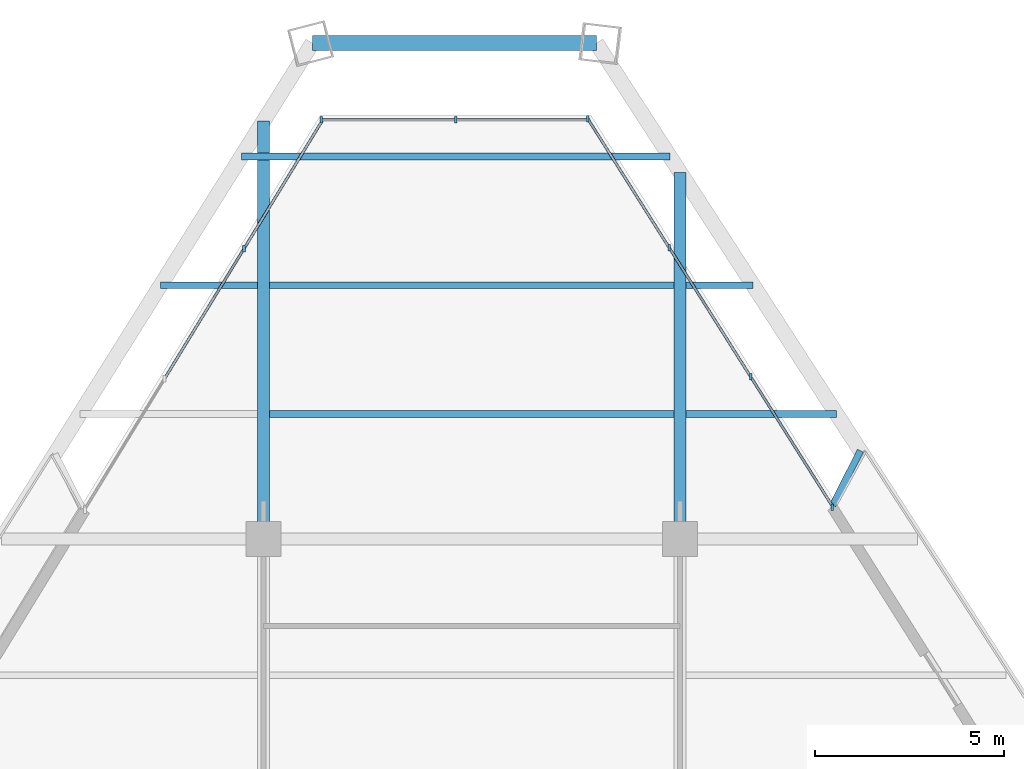
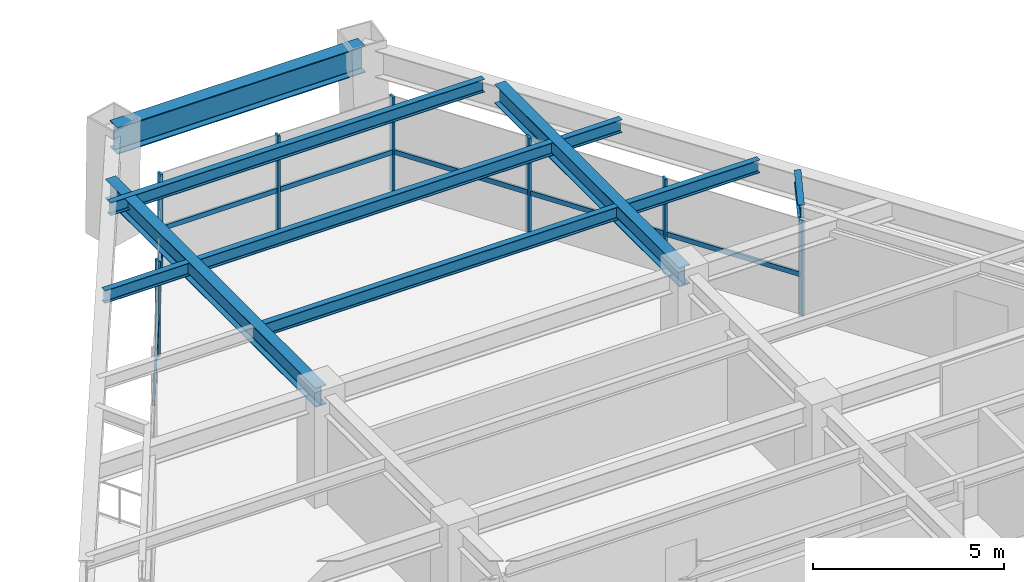
# One storey, part 7 of 13: 14 members, 10 beams, 3 elements without a shape of their own.
"""IFC4 building model written with IfcOpenShell, lengths in metres."""

from ifc_helpers import new_model, si_unit, direction, frame, origin, origin_2d, place, context, subcontext, project, spatial, rectangle, i_section, extrude, source, transform, mapped, material, material_profile, profile_set, type_object, type_shapes, element, aggregate, save


model = new_model("IFC4")

# Units and contexts
model_context = context("Model", 3, precision=1e-05, world=origin(), true_north=direction((0.0, 1.0)))
body_context = subcontext(model_context, "Body", "Model", "MODEL_VIEW")
ifc_project = project(units=[si_unit("LENGTHUNIT", "METRE"), si_unit("AREAUNIT", "SQUARE_METRE"), si_unit("VOLUMEUNIT", "CUBIC_METRE"), si_unit("PLANEANGLEUNIT", "RADIAN"), si_unit("MASSUNIT", "GRAM", prefix="KILO")], contexts=[model_context])

# Site, building, storey
site_placement = place(None, origin())
site = spatial("IfcSite", under=ifc_project, at=site_placement, CompositionType="ELEMENT")
building_placement = place(site_placement, origin())
building = spatial("IfcBuilding", under=site, at=building_placement, Name="Varnakhor Terracotta Tower", CompositionType="ELEMENT")
storey_placement = place(building_placement, frame((0.0, 0.0, 200.60009765625)))
storey = spatial("IfcBuildingStorey", under=building, at=storey_placement, Name="L51", CompositionType="ELEMENT", Elevation=200.60009765625)

# Beams
ifc_material_1 = material(Name="Steel S355", Category="steel")
ifc_material_profile_1 = material_profile(ifc_material_1, i_section(OverallWidth=0.179931640625, OverallDepth=0.4130859375, WebThickness=0.009765625, FlangeThickness=0.01611328125, FilletRadius=0.01806640625, at=origin_2d()), Name="W16X50")
ifc_profile_set_1 = profile_set([ifc_material_profile_1], Name="Steel S355")
beam_type_1 = type_object("IfcBeamType", Name="JST-W16X50", PredefinedType="JOIST", material=ifc_profile_set_1)
shared_shape_1 = source(origin(), body_context, "Body", "SweptSolid", [
    extrude(i_section(OverallWidth=0.179931640625, OverallDepth=0.4130859375, WebThickness=0.009765625, FlangeThickness=0.01611328125, FilletRadius=0.01806640625, at=origin_2d()), origin(), (0.0, 0.0, 1.0), 10.68310546875),
])
for number, where, z_axis, x_axis, name in (
    (1, (-5.341552734375, 34.800048828125, 3.263427734375), (1.0, 0.0, 0.0), (0.0, 1.0, 0.0), "L51 Composite Floor Joist 7-2"),
    (2, (-5.341552734375, 38.199951171875, 3.263427734375), (1.0, 0.0, 0.0), (0.0, 1.0, 0.0), "L51 Composite Floor Joist 8-2"),
):
    element("IfcBeam", number, at=place(storey_placement, frame(where, z_axis=z_axis, x_axis=x_axis)), inside=storey, type_object=beam_type_1, Name=name, PredefinedType="JOIST", context=body_context, shape_type="MappedRepresentation", body=[
        mapped(shared_shape_1, transform((0.0, 0.0, 0.0), scale=1.0)),
    ])
ifc_material_profile_2 = material_profile(ifc_material_1, i_section(OverallWidth=0.39990234375, OverallDepth=0.85498046875, WebThickness=0.01806640625, FlangeThickness=0.029052734375, FilletRadius=0.01806640625, at=origin_2d()), Name="W33X201")
ifc_profile_set_2 = profile_set([ifc_material_profile_2], Name="Steel S355")
beam_type_2 = type_object("IfcBeamType", Name="BM-W33X201", PredefinedType="BEAM", material=ifc_profile_set_2)
shared_shape_2 = source(origin(), body_context, "Body", "SweptSolid", [
    extrude(i_section(OverallWidth=0.39990234375, OverallDepth=0.85498046875, WebThickness=0.01806640625, FlangeThickness=0.029052734375, FilletRadius=0.01806640625, at=origin_2d()), origin(), (0.0, 0.0, 1.0), 7.501220703125),
])
beam_1_placement = place(storey_placement, frame((3.291748046875, 44.593994140625, 3.04248046875), z_axis=(-1.0, 0.0, 0.0), x_axis=(0.0, -1.0, 0.0)))
element("IfcBeam", 3, at=beam_1_placement, inside=storey, type_object=beam_type_2, Name="L51 Perimeter Spandrel 5", PredefinedType="BEAM", context=body_context, shape_type="MappedRepresentation", body=[
    mapped(shared_shape_2, transform((0.0, 0.0, 0.0), scale=1.0)),
])
ifc_material_profile_3 = material_profile(ifc_material_1, i_section(OverallWidth=0.324951171875, OverallDepth=0.615966796875, WebThickness=0.013916015625, FlangeThickness=0.02197265625, FilletRadius=0.01806640625, at=origin_2d()), Name="W24X117")
ifc_profile_set_3 = profile_set([ifc_material_profile_3], Name="Steel S355")
beam_type_3 = type_object("IfcBeamType", Name="BM-W24X117", PredefinedType="BEAM", material=ifc_profile_set_3)
shared_shape_3 = source(origin(), body_context, "Body", "SweptSolid", [
    extrude(i_section(OverallWidth=0.324951171875, OverallDepth=0.615966796875, WebThickness=0.013916015625, FlangeThickness=0.02197265625, FilletRadius=0.01806640625, at=origin_2d()), origin(), (0.0, 0.0, 1.0), 11.03515625),
])
beam_2_placement = place(storey_placement, frame((-5.5, 31.5, 3.161865234375), z_axis=(0.0, 1.0, 0.0), x_axis=(-1.0, 0.0, 0.0)))
element("IfcBeam", 4, at=beam_2_placement, inside=storey, type_object=beam_type_3, Name="L51 Primary Girder NS3-W", PredefinedType="BEAM", context=body_context, shape_type="MappedRepresentation", body=[
    mapped(shared_shape_3, transform((0.0, 0.0, 0.0), scale=1.0)),
])
shared_shape_4 = source(origin(), body_context, "Body", "SweptSolid", [
    extrude(i_section(OverallWidth=0.324951171875, OverallDepth=0.615966796875, WebThickness=0.013916015625, FlangeThickness=0.02197265625, FilletRadius=0.01806640625, at=origin_2d()), origin(), (0.0, 0.0, 1.0), 9.68310546875),
])
beam_3_placement = place(storey_placement, frame((5.5, 31.5, 3.161865234375), z_axis=(0.0, 1.0, 0.0), x_axis=(-1.0, 0.0, 0.0)))
element("IfcBeam", 5, at=beam_3_placement, inside=storey, type_object=beam_type_3, Name="L51 Primary Girder NS3-E", PredefinedType="BEAM", context=body_context, shape_type="MappedRepresentation", body=[
    mapped(shared_shape_4, transform((0.0, 0.0, 0.0), scale=1.0)),
])
shared_shape_5 = source(origin(), body_context, "Body", "SweptSolid", [
    extrude(i_section(OverallWidth=0.179931640625, OverallDepth=0.4130859375, WebThickness=0.009765625, FlangeThickness=0.01611328125, FilletRadius=0.01806640625, at=origin_2d()), origin(), (0.0, 0.0, 1.0), 3.973876953125),
])
beam_4_placement = place(storey_placement, frame((5.658447265625, 34.800048828125, 3.263427734375), z_axis=(1.0, 0.0, 0.0), x_axis=(0.0, 1.0, 0.0)))
element("IfcBeam", 6, at=beam_4_placement, inside=storey, type_object=beam_type_1, Name="L51 Composite Floor Joist 7-3", PredefinedType="JOIST", context=body_context, shape_type="MappedRepresentation", body=[
    mapped(shared_shape_5, transform((0.0, 0.0, 0.0), scale=1.0)),
])
shared_shape_6 = source(origin(), body_context, "Body", "SweptSolid", [
    extrude(i_section(OverallWidth=0.179931640625, OverallDepth=0.4130859375, WebThickness=0.009765625, FlangeThickness=0.01611328125, FilletRadius=0.01806640625, at=origin_2d()), origin(), (0.0, 0.0, 1.0), 2.558837890625),
])
beam_5_placement = place(storey_placement, frame((-8.21728515625, 38.199951171875, 3.263427734375), z_axis=(1.0, 0.0, 0.0), x_axis=(0.0, 1.0, 0.0)))
element("IfcBeam", 7, at=beam_5_placement, inside=storey, type_object=beam_type_1, Name="L51 Composite Floor Joist 8-1", PredefinedType="JOIST", context=body_context, shape_type="MappedRepresentation", body=[
    mapped(shared_shape_6, transform((0.0, 0.0, 0.0), scale=1.0)),
])
shared_shape_7 = source(origin(), body_context, "Body", "SweptSolid", [
    extrude(i_section(OverallWidth=0.179931640625, OverallDepth=0.4130859375, WebThickness=0.009765625, FlangeThickness=0.01611328125, FilletRadius=0.01806640625, at=origin_2d()), origin(), (0.0, 0.0, 1.0), 1.772705078125),
])
beam_6_placement = place(storey_placement, frame((5.658447265625, 38.199951171875, 3.263427734375), z_axis=(1.0, 0.0, 0.0), x_axis=(0.0, 1.0, 0.0)))
element("IfcBeam", 8, at=beam_6_placement, inside=storey, type_object=beam_type_1, Name="L51 Composite Floor Joist 8-3", PredefinedType="JOIST", context=body_context, shape_type="MappedRepresentation", body=[
    mapped(shared_shape_7, transform((0.0, 0.0, 0.0), scale=1.0)),
])
shared_shape_8 = source(origin(), body_context, "Body", "SweptSolid", [
    extrude(i_section(OverallWidth=0.179931640625, OverallDepth=0.4130859375, WebThickness=0.009765625, FlangeThickness=0.01611328125, FilletRadius=0.01806640625, at=origin_2d()), origin(), (0.0, 0.0, 1.0), 11.316162109375),
])
beam_7_placement = place(storey_placement, frame((-6.086181640625, 41.60009765625, 3.263427734375), z_axis=(1.0, 0.0, 0.0), x_axis=(0.0, 1.0, 0.0)))
element("IfcBeam", 9, at=beam_7_placement, inside=storey, type_object=beam_type_1, Name="L51 Composite Floor Joist 9-1", PredefinedType="JOIST", context=body_context, shape_type="MappedRepresentation", body=[
    mapped(shared_shape_8, transform((0.0, 0.0, 0.0), scale=1.0)),
])

# Curtain wall, member
ifc_material_2 = material(Name="Anodised Aluminium Curtain Wall System", Category="aluminium")
curtain_wall_type = type_object("IfcCurtainWallType", Name="CW-SYS-MID-OFFICE", PredefinedType="NOTDEFINED", material=ifc_material_2)
curtain_wall_1_placement = place(storey_placement, origin())
curtain_wall_1 = element("IfcCurtainWall", 10, at=curtain_wall_1_placement, inside=storey, type_object=curtain_wall_type, Name="L51 W Facet Curtain Wall 2", PredefinedType="NOTDEFINED")
ifc_material_3 = material(Name="Anodised Aluminium 6063-T6", Category="aluminium")
ifc_material_profile_4 = material_profile(ifc_material_3, rectangle(XDim=0.070068359375, YDim=0.175048828125, at=origin_2d()), Name="ALU MULLION 70x175")
ifc_profile_set_4 = profile_set([ifc_material_profile_4], Name="Anodised Aluminium 6063-T6")
member_type_1 = type_object("IfcMemberType", Name="CWM-03", PredefinedType="MULLION", material=ifc_profile_set_4)
shared_shape_9 = source(origin(), body_context, "Body", "SweptSolid", [
    extrude(rectangle(XDim=0.070068359375, YDim=0.175048828125, at=origin_2d()), origin(), (0.0, 0.0, 1.0), 3.0498046875),
])
type_shapes(member_type_1, [shared_shape_9])
member_1_placement = place(storey_placement, frame((-6.01513671875, 39.16259765625, 0.0), z_axis=(0.0, 0.0, 1.0), x_axis=(1.0, 0.0, 0.0)))
member_1 = element("IfcMember", 11, at=member_1_placement, type_object=member_type_1, Name="L51 W Facet Curtain Wall 2 Mullion 3", PredefinedType="MULLION", context=body_context, shape_type="MappedRepresentation", body=[
    mapped(shared_shape_9, transform((0.0, 0.0, 0.0), scale=1.0)),
])

# Curtain wall, members
curtain_wall_2_placement = place(storey_placement, origin())
curtain_wall_2 = element("IfcCurtainWall", 12, at=curtain_wall_2_placement, inside=storey, type_object=curtain_wall_type, Name="L51 Facet Curtain Wall 2", PredefinedType="NOTDEFINED")
member_2_placement = place(storey_placement, frame((-3.971923828125, 42.5654296875, 0.0), z_axis=(0.0, 0.0, 1.0), x_axis=(1.0, 0.0, 0.0)))
member_2 = element("IfcMember", 13, at=member_2_placement, type_object=member_type_1, Name="L51 Facet Curtain Wall 2 Mullion 1", PredefinedType="MULLION", context=body_context, shape_type="MappedRepresentation", body=[
    mapped(shared_shape_9, transform((0.0, 0.0, 0.0), scale=1.0)),
])
member_3_placement = place(storey_placement, frame((-0.4267578125, 42.5654296875, 0.0), z_axis=(0.0, 0.0, 1.0), x_axis=(1.0, 0.0, 0.0)))
member_3 = element("IfcMember", 14, at=member_3_placement, type_object=member_type_1, Name="L51 Facet Curtain Wall 2 Mullion 2", PredefinedType="MULLION", context=body_context, shape_type="MappedRepresentation", body=[
    mapped(shared_shape_9, transform((0.0, 0.0, 0.0), scale=1.0)),
])

curtain_wall_3_placement = place(storey_placement, origin())
curtain_wall_3 = element("IfcCurtainWall", 15, at=curtain_wall_3_placement, inside=storey, type_object=curtain_wall_type, Name="L51 E Facet Curtain Wall 1", PredefinedType="NOTDEFINED")
member_4_placement = place(storey_placement, frame((3.062744140625, 42.595947265625, 0.0), z_axis=(0.0, 0.0, 1.0), x_axis=(1.0, 0.0, 0.0)))
member_4 = element("IfcMember", 16, at=member_4_placement, type_object=member_type_1, Name="L51 E Facet Curtain Wall 1 Mullion 1", PredefinedType="MULLION", context=body_context, shape_type="MappedRepresentation", body=[
    mapped(shared_shape_9, transform((0.0, 0.0, 0.0), scale=1.0)),
])
member_5_placement = place(storey_placement, frame((5.214599609375, 39.18798828125, 0.0), z_axis=(0.0, 0.0, 1.0), x_axis=(1.0, 0.0, 0.0)))
member_5 = element("IfcMember", 17, at=member_5_placement, type_object=member_type_1, Name="L51 E Facet Curtain Wall 1 Mullion 2", PredefinedType="MULLION", context=body_context, shape_type="MappedRepresentation", body=[
    mapped(shared_shape_9, transform((0.0, 0.0, 0.0), scale=1.0)),
])
member_6_placement = place(storey_placement, frame((7.3662109375, 35.780029296875, 0.0), z_axis=(0.0, 0.0, 1.0), x_axis=(1.0, 0.0, 0.0)))
member_6 = element("IfcMember", 18, at=member_6_placement, type_object=member_type_1, Name="L51 E Facet Curtain Wall 1 Mullion 3", PredefinedType="MULLION", context=body_context, shape_type="MappedRepresentation", body=[
    mapped(shared_shape_9, transform((0.0, 0.0, 0.0), scale=1.0)),
])
member_7_placement = place(storey_placement, frame((9.51708984375, 32.3359375, 0.0), z_axis=(0.0, 0.0, 1.0), x_axis=(1.0, 0.0, 0.0)))
member_7 = element("IfcMember", 19, at=member_7_placement, type_object=member_type_1, Name="L51 E Loggia Jamb Closure Mullion 1", PredefinedType="MULLION", context=body_context, shape_type="MappedRepresentation", body=[
    mapped(shared_shape_9, transform((0.0, 0.0, 0.0), scale=1.0)),
])

# Member
ifc_material_profile_5 = material_profile(ifc_material_3, rectangle(XDim=0.070068359375, YDim=0.155029296875, at=origin_2d()), Name="ALU TRANSOM 70x155")
ifc_profile_set_5 = profile_set([ifc_material_profile_5], Name="Anodised Aluminium 6063-T6")
member_type_2 = type_object("IfcMemberType", Name="CWT-03", PredefinedType="USERDEFINED", material=ifc_profile_set_5)
shared_shape_10 = source(origin(), body_context, "Body", "SweptSolid", [
    extrude(rectangle(XDim=0.070068359375, YDim=0.155029296875, at=origin_2d()), origin(), (0.0, 0.0, 1.0), 4.025634765625),
])
member_8_placement = place(storey_placement, frame((-6.01513671875, 39.16259765625, 1.281005859375), z_axis=(0.52162171746, 0.85317687725, 0.0), x_axis=(-0.85317687725, 0.52162171746, 0.0)))
member_8 = element("IfcMember", 20, at=member_8_placement, type_object=member_type_2, Name="L51 W Facet Curtain Wall 2 Transom 3", ObjectType="TRANSOM", PredefinedType="USERDEFINED", context=body_context, shape_type="MappedRepresentation", body=[
    mapped(shared_shape_10, transform((0.0, 0.0, 0.0), scale=1.0)),
])

shared_shape_11 = source(origin(), body_context, "Body", "SweptSolid", [
    extrude(rectangle(XDim=0.070068359375, YDim=0.155029296875, at=origin_2d()), origin(), (0.0, 0.0, 1.0), 4.02587890625),
])
member_9_placement = place(storey_placement, frame((-8.115234375, 35.727783203125, 1.281005859375), z_axis=(0.521638871353, 0.853166389336, 0.0), x_axis=(-0.853166389336, 0.521638871353, 0.0)))
member_9 = element("IfcMember", 21, at=member_9_placement, type_object=member_type_2, Name="L51 W Facet Curtain Wall 2 Transom 2", ObjectType="TRANSOM", PredefinedType="USERDEFINED", context=body_context, shape_type="MappedRepresentation", body=[
    mapped(shared_shape_11, transform((0.0, 0.0, 0.0), scale=1.0)),
])

aggregate(curtain_wall_1, [member_9, member_1, member_8])

shared_shape_12 = source(origin(), body_context, "Body", "SweptSolid", [
    extrude(rectangle(XDim=0.070068359375, YDim=0.155029296875, at=origin_2d()), origin(), (0.0, 0.0, 1.0), 3.545166015625),
])
member_10_placement = place(storey_placement, frame((-3.971923828125, 42.5654296875, 1.281005859375), z_axis=(1.0, 0.0, 0.0), x_axis=(0.0, 1.0, 0.0)))
member_10 = element("IfcMember", 22, at=member_10_placement, type_object=member_type_2, Name="L51 Facet Curtain Wall 2 Transom 1", ObjectType="TRANSOM", PredefinedType="USERDEFINED", context=body_context, shape_type="MappedRepresentation", body=[
    mapped(shared_shape_12, transform((0.0, 0.0, 0.0), scale=1.0)),
])

member_11_placement = place(storey_placement, frame((-0.4267578125, 42.5654296875, 1.281005859375), z_axis=(1.0, 0.0, 0.0), x_axis=(0.0, 1.0, 0.0)))
member_11 = element("IfcMember", 23, at=member_11_placement, type_object=member_type_2, Name="L51 Facet Curtain Wall 2 Transom 2", ObjectType="TRANSOM", PredefinedType="USERDEFINED", context=body_context, shape_type="MappedRepresentation", body=[
    mapped(shared_shape_12, transform((0.0, 0.0, 0.0), scale=1.0)),
])

aggregate(curtain_wall_2, [member_2, member_10, member_3, member_11])

shared_shape_13 = source(origin(), body_context, "Body", "SweptSolid", [
    extrude(rectangle(XDim=0.070068359375, YDim=0.155029296875, at=origin_2d()), origin(), (0.0, 0.0, 1.0), 4.030517578125),
])
member_12_placement = place(storey_placement, frame((3.062744140625, 42.595947265625, 1.281005859375), z_axis=(0.533897269404, -0.845549351442, 0.0), x_axis=(0.845549351442, 0.533897269404, 0.0)))
member_12 = element("IfcMember", 24, at=member_12_placement, type_object=member_type_2, Name="L51 E Facet Curtain Wall 1 Transom 1", ObjectType="TRANSOM", PredefinedType="USERDEFINED", context=body_context, shape_type="MappedRepresentation", body=[
    mapped(shared_shape_13, transform((0.0, 0.0, 0.0), scale=1.0)),
])

member_13_placement = place(storey_placement, frame((7.3662109375, 35.780029296875, 1.281005859375), z_axis=(0.533897269404, -0.845549351442, 0.0), x_axis=(0.845549351442, 0.533897269404, 0.0)))
member_13 = element("IfcMember", 25, at=member_13_placement, type_object=member_type_2, Name="L51 E Facet Curtain Wall 1 Transom 3", ObjectType="TRANSOM", PredefinedType="USERDEFINED", context=body_context, shape_type="MappedRepresentation", body=[
    mapped(shared_shape_13, transform((0.0, 0.0, 0.0), scale=1.0)),
])

shared_shape_14 = source(origin(), body_context, "Body", "SweptSolid", [
    extrude(rectangle(XDim=0.070068359375, YDim=0.155029296875, at=origin_2d()), origin(), (0.0, 0.0, 1.0), 4.0302734375),
])
member_14_placement = place(storey_placement, frame((5.214599609375, 39.18798828125, 1.281005859375), z_axis=(0.533853959857, -0.84557669643, 0.0), x_axis=(0.84557669643, 0.533853959857, 0.0)))
member_14 = element("IfcMember", 26, at=member_14_placement, type_object=member_type_2, Name="L51 E Facet Curtain Wall 1 Transom 2", ObjectType="TRANSOM", PredefinedType="USERDEFINED", context=body_context, shape_type="MappedRepresentation", body=[
    mapped(shared_shape_14, transform((0.0, 0.0, 0.0), scale=1.0)),
])

aggregate(curtain_wall_3, [member_4, member_12, member_5, member_14, member_6, member_13, member_7])

# Beam
ifc_material_profile_6 = material_profile(ifc_material_1, i_section(OverallWidth=0.179931640625, OverallDepth=0.39990234375, WebThickness=0.008544921875, FlangeThickness=0.013427734375, FilletRadius=0.01806640625, at=origin_2d()), Name="IPE400")
ifc_profile_set_6 = profile_set([ifc_material_profile_6], Name="Steel S355")
beam_type_4 = type_object("IfcBeamType", Name="JST-IPE400", PredefinedType="JOIST", material=ifc_profile_set_6)
shared_shape_15 = source(origin(), body_context, "Body", "SweptSolid", [
    extrude(i_section(OverallWidth=0.179931640625, OverallDepth=0.39990234375, WebThickness=0.008544921875, FlangeThickness=0.013427734375, FilletRadius=0.01806640625, at=origin_2d()), origin(), (0.0, 0.0, 1.0), 1.613525390625),
])
beam_8_placement = place(storey_placement, frame((9.534912109375, 32.388671875, 3.27001953125), z_axis=(0.44987484788, 0.89309160854, 0.0), x_axis=(-0.89309160854, 0.44987484788, 0.0)))
element("IfcBeam", 27, at=beam_8_placement, inside=storey, type_object=beam_type_4, Name="L52 E Loggia Tie Beam 1", PredefinedType="JOIST", context=body_context, shape_type="MappedRepresentation", body=[
    mapped(shared_shape_15, transform((0.0, 0.0, 0.0), scale=1.0)),
])

save(model, "model.ifc")
